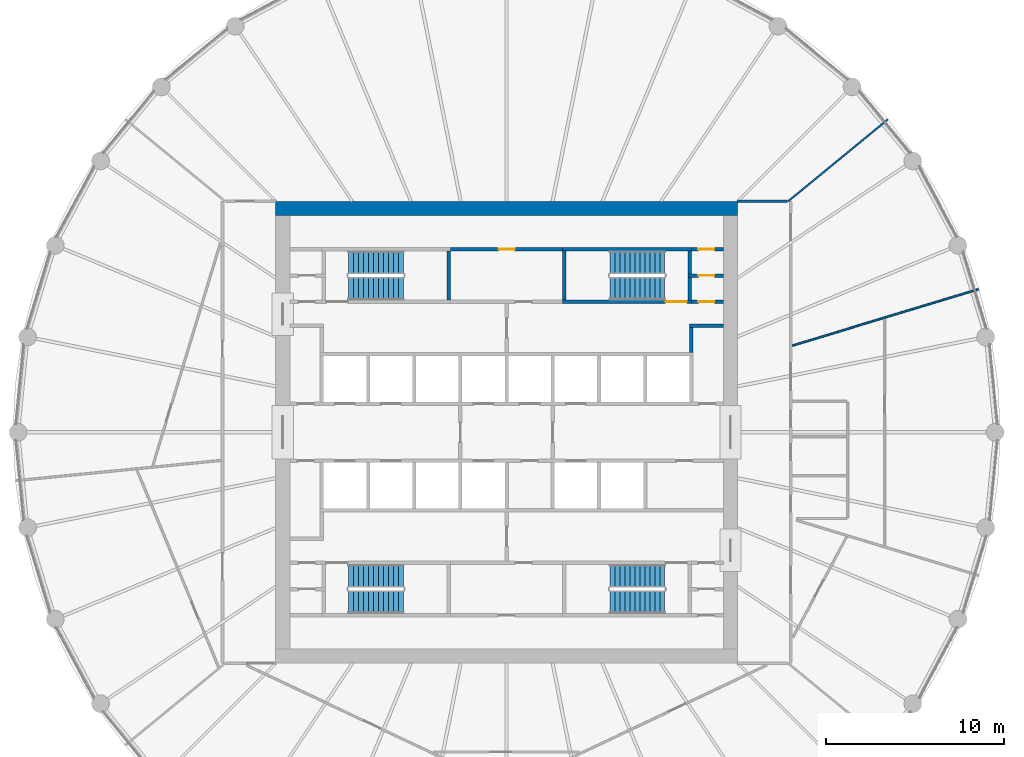
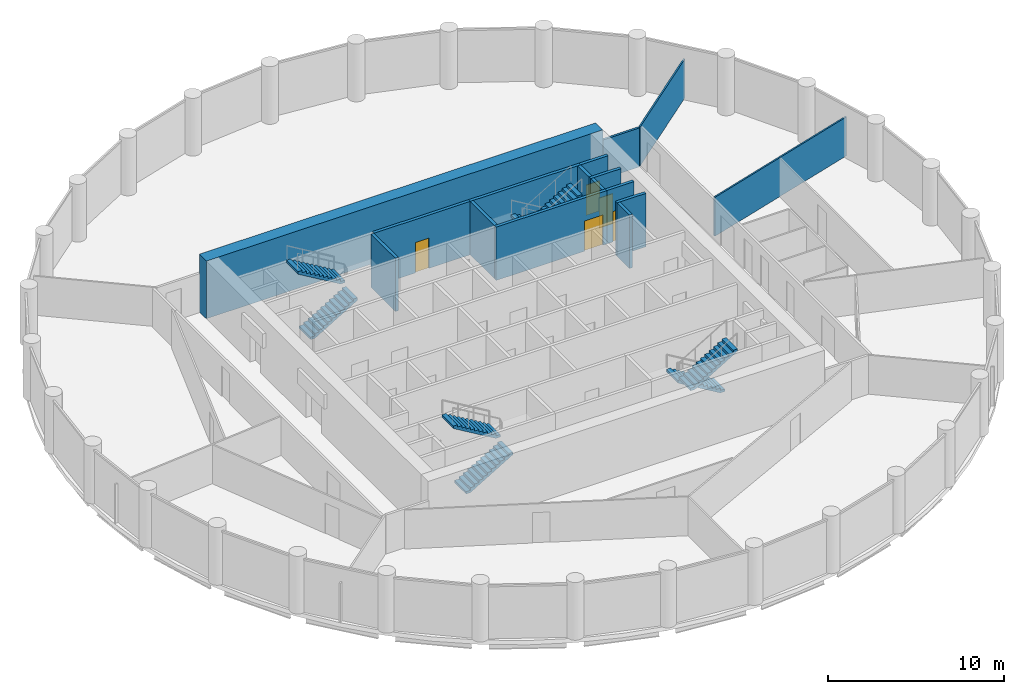
# One storey, part 7 of 8: 16 walls, 8 stair flights, 5 doors, 5 openings, 4 elements without a shape of their own.
"""IFC4 building model written with IfcOpenShell, lengths in metres."""

from ifc_helpers import new_model, si_unit, direction, frame, frame_2d, origin, place, context, subcontext, project, spatial, polyline, rectangle, outline, extrude, material, layer, layer_set, type_object, element, fill, aggregate, save


model = new_model("IFC4")

# Units and contexts
model_context = context("Model", 3, precision=1e-05, world=origin(), true_north=direction((0.0, 1.0)))
body_context = subcontext(model_context, "Body", "Model", "MODEL_VIEW")
ifc_project = project(units=[si_unit("LENGTHUNIT", "METRE"), si_unit("AREAUNIT", "SQUARE_METRE"), si_unit("VOLUMEUNIT", "CUBIC_METRE"), si_unit("PLANEANGLEUNIT", "RADIAN"), si_unit("MASSUNIT", "GRAM", prefix="KILO")], contexts=[model_context])

# Site, building, storey
site_placement = place(None, origin())
site = spatial("IfcSite", under=ifc_project, at=site_placement, CompositionType="ELEMENT")
building_placement = place(site_placement, origin())
building = spatial("IfcBuilding", under=site, at=building_placement, Name="Corvane Civic Tower", CompositionType="ELEMENT")
storey_placement = place(building_placement, frame((0.0, 0.0, 245.5)))
storey = spatial("IfcBuildingStorey", under=building, at=storey_placement, Name="L58", CompositionType="ELEMENT", Elevation=245.5)

# Wall
ifc_material_1 = material(Name="Concrete C50/60", Category="concrete")
ifc_layer_1 = layer(ifc_material_1, 0.800048828125)
ifc_layer_set_1 = layer_set([ifc_layer_1], Name="Concrete C50/60")
wall_type_1 = type_object("IfcWallType", Name="CORE WALL 800 C50/60", PredefinedType="SHEAR", material=ifc_layer_set_1)
wall_1_placement = place(storey_placement, frame((-13.0, 12.60009765625, 0.0), z_axis=(0.0, 0.0, 1.0), x_axis=(1.0, 0.0, 0.0)))
element("IfcWall", 1, at=wall_1_placement, inside=storey, type_object=wall_type_1, Name="W-L58-core-N", PredefinedType="SHEAR", context=body_context, shape_type="SweptSolid", body=[
    extrude(rectangle(XDim=26.0, YDim=0.800048828125, at=frame_2d((13.0, 0.0))), origin(), (0.0, 0.0, 1.0), 4.0),
])

# Wall, opening, door
ifc_material_2 = material(Name="Concrete C30/37", Category="concrete")
ifc_layer_2 = layer(ifc_material_2, 0.199951171875)
ifc_layer_set_2 = layer_set([ifc_layer_2], Name="Concrete C30/37")
wall_type_2 = type_object("IfcWallType", Name="CR-WALL-200", PredefinedType="PARTITIONING", material=ifc_layer_set_2)
wall_2_placement = place(storey_placement, frame((10.39990234375, 7.35009765625, 0.0), z_axis=(0.0, 0.0, 1.0), x_axis=(1.0, 0.0, 0.0)))
wall_2 = element("IfcWall", 2, at=wall_2_placement, inside=storey, type_object=wall_type_2, Name="L58 core partition wall", PredefinedType="PARTITIONING", context=body_context, shape_type="SweptSolid", body=[
    extrude(rectangle(XDim=1.800048828125, YDim=0.199951171875, at=frame_2d((0.89990234375, 0.0))), origin(), (0.0, 0.0, 1.0), 3.699951171875),
])
opening_1_placement = place(wall_2_placement, frame((0.39990234375, 0.0, 0.0)))
opening_1 = element("IfcOpeningElement", 3, at=opening_1_placement, cuts=wall_2, Name="Opening L58.C14", PredefinedType="OPENING", context=body_context, shape_type="SweptSolid", body=[
    extrude(rectangle(XDim=0.89990234375, YDim=2.10009765625, at=frame_2d((0.449951171875, 1.050048828125))), frame((0.0, 0.10986328125, 0.0), z_axis=(0.0, -1.0, 0.0), x_axis=(1.0, 0.0, 0.0)), (0.0, 0.0, 1.0), 0.219970703125),
])
ifc_material_3 = material(Name="Steel fire door leaf", Category="steel")
door_type_1 = type_object("IfcDoorType", Name="CR-DOOR-900", OperationType="SINGLE_SWING_LEFT", PredefinedType="DOOR", material=ifc_material_3)
door_1_placement = place(opening_1_placement, origin())
door_1 = element("IfcDoor", 4, at=door_1_placement, inside=storey, type_object=door_type_1, Name="L58 door", OperationType="SINGLE_SWING_LEFT", OverallHeight=2.10009765625, OverallWidth=0.89990234375, PredefinedType="DOOR", context=body_context, shape_type="SweptSolid", body=[
    extrude(rectangle(XDim=0.89990234375, YDim=2.10009765625, at=frame_2d((0.449951171875, 1.050048828125))), frame((0.0, 0.02490234375, 0.0), z_axis=(0.0, -1.0, 0.0), x_axis=(1.0, 0.0, 0.0)), (0.0, 0.0, 1.0), 0.050048828125),
])
fill(opening_1, door_1)

wall_3_placement = place(storey_placement, frame((10.199951171875, 8.824951171875, 0.0), z_axis=(0.0, 0.0, 1.0), x_axis=(1.0, 0.0, 0.0)))
wall_3 = element("IfcWall", 5, at=wall_3_placement, inside=storey, type_object=wall_type_2, Name="L58 partition wall", PredefinedType="PARTITIONING", context=body_context, shape_type="SweptSolid", body=[
    extrude(rectangle(XDim=2.0, YDim=0.199951171875, at=frame_2d((1.0, 0.0))), origin(), (0.0, 0.0, 1.0), 3.699951171875),
])
opening_2_placement = place(wall_3_placement, frame((0.60009765625, 0.0, 0.0)))
opening_2 = element("IfcOpeningElement", 6, at=opening_2_placement, cuts=wall_3, Name="Opening L58.C15", PredefinedType="OPENING", context=body_context, shape_type="SweptSolid", body=[
    extrude(rectangle(XDim=0.89990234375, YDim=2.10009765625, at=frame_2d((0.449951171875, 1.050048828125))), frame((0.0, 0.10986328125, 0.0), z_axis=(0.0, -1.0, 0.0), x_axis=(1.0, 0.0, 0.0)), (0.0, 0.0, 1.0), 0.219970703125),
])
door_2_placement = place(opening_2_placement, origin())
door_2 = element("IfcDoor", 7, at=door_2_placement, inside=storey, type_object=door_type_1, Name="L58 door", OperationType="SINGLE_SWING_LEFT", OverallHeight=2.10009765625, OverallWidth=0.89990234375, PredefinedType="DOOR", context=body_context, shape_type="SweptSolid", body=[
    extrude(rectangle(XDim=0.89990234375, YDim=2.10009765625, at=frame_2d((0.449951171875, 1.050048828125))), frame((0.0, 0.02490234375, 0.0), z_axis=(0.0, -1.0, 0.0), x_axis=(1.0, 0.0, 0.0)), (0.0, 0.0, 1.0), 0.050048828125),
])
fill(opening_2, door_2)

wall_4_placement = place(storey_placement, frame((-3.14990234375, 10.300048828125, 0.0), z_axis=(0.0, 0.0, 1.0), x_axis=(1.0, 0.0, 0.0)))
wall_4 = element("IfcWall", 8, at=wall_4_placement, inside=storey, type_object=wall_type_2, Name="L58 partition wall", PredefinedType="PARTITIONING", context=body_context, shape_type="SweptSolid", body=[
    extrude(rectangle(XDim=6.2998046875, YDim=0.199951171875, at=frame_2d((3.14990234375, 0.0))), origin(), (0.0, 0.0, 1.0), 3.699951171875),
])
opening_3_placement = place(wall_4_placement, frame((2.699951171875, 0.0, 0.0)))
opening_3 = element("IfcOpeningElement", 9, at=opening_3_placement, cuts=wall_4, Name="Opening L58.C08", PredefinedType="OPENING", context=body_context, shape_type="SweptSolid", body=[
    extrude(rectangle(XDim=0.89990234375, YDim=2.10009765625, at=frame_2d((0.449951171875, 1.050048828125))), frame((0.0, 0.10986328125, 0.0), z_axis=(0.0, -1.0, 0.0), x_axis=(1.0, 0.0, 0.0)), (0.0, 0.0, 1.0), 0.219970703125),
])
door_3_placement = place(opening_3_placement, origin())
door_3 = element("IfcDoor", 10, at=door_3_placement, inside=storey, type_object=door_type_1, Name="L58 door", OperationType="SINGLE_SWING_LEFT", OverallHeight=2.10009765625, OverallWidth=0.89990234375, PredefinedType="DOOR", context=body_context, shape_type="SweptSolid", body=[
    extrude(rectangle(XDim=0.89990234375, YDim=2.10009765625, at=frame_2d((0.449951171875, 1.050048828125))), frame((0.0, 0.02490234375, 0.0), z_axis=(0.0, -1.0, 0.0), x_axis=(1.0, 0.0, 0.0)), (0.0, 0.0, 1.0), 0.050048828125),
])
fill(opening_3, door_3)

wall_5_placement = place(storey_placement, frame((10.39990234375, 10.300048828125, 0.0), z_axis=(0.0, 0.0, 1.0), x_axis=(1.0, 0.0, 0.0)))
wall_5 = element("IfcWall", 11, at=wall_5_placement, inside=storey, type_object=wall_type_2, Name="L58 partition wall", PredefinedType="PARTITIONING", context=body_context, shape_type="SweptSolid", body=[
    extrude(rectangle(XDim=1.800048828125, YDim=0.199951171875, at=frame_2d((0.89990234375, 0.0))), origin(), (0.0, 0.0, 1.0), 3.699951171875),
])
opening_4_placement = place(wall_5_placement, frame((0.39990234375, 0.0, 0.0)))
opening_4 = element("IfcOpeningElement", 12, at=opening_4_placement, cuts=wall_5, Name="Opening L58.C16", PredefinedType="OPENING", context=body_context, shape_type="SweptSolid", body=[
    extrude(rectangle(XDim=0.89990234375, YDim=2.10009765625, at=frame_2d((0.449951171875, 1.050048828125))), frame((0.0, 0.10986328125, 0.0), z_axis=(0.0, -1.0, 0.0), x_axis=(1.0, 0.0, 0.0)), (0.0, 0.0, 1.0), 0.219970703125),
])
door_4_placement = place(opening_4_placement, origin())
door_4 = element("IfcDoor", 13, at=door_4_placement, inside=storey, type_object=door_type_1, Name="L58 door", OperationType="SINGLE_SWING_LEFT", OverallHeight=2.10009765625, OverallWidth=0.89990234375, PredefinedType="DOOR", context=body_context, shape_type="SweptSolid", body=[
    extrude(rectangle(XDim=0.89990234375, YDim=2.10009765625, at=frame_2d((0.449951171875, 1.050048828125))), frame((0.0, 0.02490234375, 0.0), z_axis=(0.0, -1.0, 0.0), x_axis=(1.0, 0.0, 0.0)), (0.0, 0.0, 1.0), 0.050048828125),
])
fill(opening_4, door_4)

# Walls
wall_6_placement = place(storey_placement, origin())
element("IfcWall", 14, at=wall_6_placement, inside=storey, type_object=wall_type_2, Name="L58 core partition wall", PredefinedType="PARTITIONING", context=body_context, shape_type="SweptSolid", body=[
    extrude(outline(polyline([(12.199951171875, 5.89990234375), (10.300048828125, 5.89990234375), (10.300048828125, 6.10009765625), (12.199951171875, 6.10009765625), (12.199951171875, 5.89990234375)])), origin(), (0.0, 0.0, 1.0), 3.699951171875),
])
wall_7_placement = place(storey_placement, origin())
element("IfcWall", 15, at=wall_7_placement, inside=storey, type_object=wall_type_2, Name="L58 core partition wall", PredefinedType="PARTITIONING", context=body_context, shape_type="SweptSolid", body=[
    extrude(outline(polyline([(10.5, 4.5), (10.300048828125, 4.5), (10.300048828125, 5.89990234375), (10.5, 5.89990234375), (10.5, 4.5)])), origin(), (0.0, 0.0, 1.0), 3.699951171875),
])
ifc_material_4 = material(Name="Plasterboard")
ifc_layer_3 = layer(ifc_material_4, 0.10009765625)
ifc_layer_set_3 = layer_set([ifc_layer_3], Name="Plasterboard")
wall_type_3 = type_object("IfcWallType", Name="Partition 100 plasterboard on studs", PredefinedType="PARTITIONING", material=ifc_layer_set_3)
wall_8_placement = place(storey_placement, frame((16.089599609375, 4.880615234375, 0.0), z_axis=(0.0, 0.0, 1.0), x_axis=(0.956939502521, 0.290287423971, 0.0)))
element("IfcWall", 16, at=wall_8_placement, inside=storey, type_object=wall_type_3, Name="Partition L58.022", PredefinedType="PARTITIONING", context=body_context, shape_type="SweptSolid", body=[
    extrude(rectangle(XDim=10.936767578125, YDim=0.10009765625, at=frame_2d((5.46826171875, 0.0))), origin(), (0.0, 0.0, 1.0), 2.699951171875),
])
wall_9_placement = place(storey_placement, frame((15.8544921875, 13.01123046875, 0.0), z_axis=(0.0, 0.0, 1.0), x_axis=(0.772997895748, 0.634408585352, 0.0)))
element("IfcWall", 17, at=wall_9_placement, inside=storey, type_object=wall_type_3, Name="Partition L58.027", PredefinedType="PARTITIONING", context=body_context, shape_type="SweptSolid", body=[
    extrude(rectangle(XDim=7.240234375, YDim=0.10009765625, at=frame_2d((3.6201171875, 0.0))), origin(), (0.0, 0.0, 1.0), 2.699951171875),
])

# Wall, opening, door
ifc_material_5 = material(Name="Concrete C50/60", Category="concrete")
ifc_layer_4 = layer(ifc_material_5, 0.199951171875)
ifc_layer_set_4 = layer_set([ifc_layer_4], Name="Concrete C50/60")
wall_type_4 = type_object("IfcWallType", Name="ST-WALL-200", PredefinedType="SHEAR", material=ifc_layer_set_4)
wall_10_placement = place(storey_placement, frame((3.14990234375, 7.35009765625, 0.0), z_axis=(0.0, 0.0, 1.0), x_axis=(1.0, 0.0, 0.0)))
wall_10 = element("IfcWall", 18, at=wall_10_placement, inside=storey, type_object=wall_type_4, Name="L58 stair enclosure wall", PredefinedType="SHEAR", context=body_context, shape_type="SweptSolid", body=[
    extrude(rectangle(XDim=7.25, YDim=0.199951171875, at=frame_2d((3.625, 0.0))), origin(), (0.0, 0.0, 1.0), 3.699951171875),
])
opening_5_placement = place(wall_10_placement, frame((5.800048828125, 0.0, 0.0)))
opening_5 = element("IfcOpeningElement", 19, at=opening_5_placement, cuts=wall_10, Name="Opening L58.C20", PredefinedType="OPENING", context=body_context, shape_type="SweptSolid", body=[
    extrude(rectangle(XDim=1.199951171875, YDim=2.10009765625, at=frame_2d((0.60009765625, 1.050048828125))), frame((0.0, 0.10986328125, 0.0), z_axis=(0.0, -1.0, 0.0), x_axis=(1.0, 0.0, 0.0)), (0.0, 0.0, 1.0), 0.219970703125),
])
ifc_material_6 = material(Name="Steel fire door leaf", Category="steel")
door_type_2 = type_object("IfcDoorType", Name="ST-DOOR-1200", OperationType="SINGLE_SWING_RIGHT", PredefinedType="DOOR", material=ifc_material_6)
door_5_placement = place(opening_5_placement, origin())
door_5 = element("IfcDoor", 20, at=door_5_placement, inside=storey, type_object=door_type_2, Name="L58 stair door", OperationType="SINGLE_SWING_RIGHT", OverallHeight=2.10009765625, OverallWidth=1.199951171875, PredefinedType="DOOR", context=body_context, shape_type="SweptSolid", body=[
    extrude(rectangle(XDim=1.199951171875, YDim=2.10009765625, at=frame_2d((0.60009765625, 1.050048828125))), frame((0.0, 0.02490234375, 0.0), z_axis=(0.0, -1.0, 0.0), x_axis=(1.0, 0.0, 0.0)), (0.0, 0.0, 1.0), 0.050048828125),
])
fill(opening_5, door_5)

# Walls
wall_11_placement = place(storey_placement, origin())
element("IfcWall", 21, at=wall_11_placement, inside=storey, type_object=wall_type_4, Name="L58 stair enclosure wall", PredefinedType="SHEAR", context=body_context, shape_type="SweptSolid", body=[
    extrude(outline(polyline([(10.39990234375, 10.199951171875), (3.14990234375, 10.199951171875), (3.14990234375, 10.39990234375), (10.39990234375, 10.39990234375), (10.39990234375, 10.199951171875)])), origin(), (0.0, 0.0, 1.0), 3.699951171875),
])
wall_12_placement = place(storey_placement, origin())
element("IfcWall", 22, at=wall_12_placement, inside=storey, type_object=wall_type_4, Name="L58 stair enclosure wall", PredefinedType="SHEAR", context=body_context, shape_type="SweptSolid", body=[
    extrude(outline(polyline([(-3.14990234375, 7.449951171875), (-3.35009765625, 7.449951171875), (-3.35009765625, 10.199951171875), (-3.14990234375, 10.199951171875), (-3.14990234375, 7.449951171875)])), origin(), (0.0, 0.0, 1.0), 3.699951171875),
])
wall_13_placement = place(storey_placement, origin())
element("IfcWall", 23, at=wall_13_placement, inside=storey, type_object=wall_type_4, Name="L58 stair enclosure wall", PredefinedType="SHEAR", context=body_context, shape_type="SweptSolid", body=[
    extrude(outline(polyline([(3.35009765625, 7.449951171875), (3.14990234375, 7.449951171875), (3.14990234375, 10.199951171875), (3.35009765625, 10.199951171875), (3.35009765625, 7.449951171875)])), origin(), (0.0, 0.0, 1.0), 3.699951171875),
])
wall_14_placement = place(storey_placement, origin())
element("IfcWall", 24, at=wall_14_placement, inside=storey, type_object=wall_type_4, Name="L58 stair enclosure wall", PredefinedType="SHEAR", context=body_context, shape_type="SweptSolid", body=[
    extrude(outline(polyline([(10.39990234375, 8.72509765625), (10.39990234375, 7.449951171875), (10.199951171875, 7.449951171875), (10.199951171875, 8.72509765625), (10.39990234375, 8.72509765625)])), origin(), (0.0, 0.0, 1.0), 3.699951171875),
])
wall_15_placement = place(storey_placement, origin())
element("IfcWall", 25, at=wall_15_placement, inside=storey, type_object=wall_type_4, Name="L58 stair enclosure wall", PredefinedType="SHEAR", context=body_context, shape_type="SweptSolid", body=[
    extrude(outline(polyline([(10.39990234375, 8.925048828125), (10.199951171875, 8.925048828125), (10.199951171875, 10.199951171875), (10.39990234375, 10.199951171875), (10.39990234375, 8.925048828125)])), origin(), (0.0, 0.0, 1.0), 3.699951171875),
])
ifc_material_7 = material(Name="Plasterboard")
ifc_layer_5 = layer(ifc_material_7, 0.14990234375)
ifc_layer_set_5 = layer_set([ifc_layer_5], Name="Plasterboard")
wall_type_5 = type_object("IfcWallType", Name="Tenancy wall 150 EI 60", PredefinedType="PARTITIONING", material=ifc_layer_set_5)
wall_16_placement = place(storey_placement, frame((12.989990234375, 13.0, 0.0), z_axis=(0.0, 0.0, 1.0), x_axis=(1.0, 0.0, 0.0)))
element("IfcWall", 26, at=wall_16_placement, inside=storey, type_object=wall_type_5, Name="Partition L58.025", PredefinedType="PARTITIONING", context=body_context, shape_type="SweptSolid", body=[
    extrude(rectangle(XDim=2.82373046875, YDim=0.14990234375, at=frame_2d((1.411865234375, 0.0))), origin(), (0.0, 0.0, 1.0), 2.699951171875),
])

# Stair, stair flights
ifc_material_8 = material(Name="Concrete C40/50", Category="concrete")
stair_type = type_object("IfcStairType", Name="ST-STAIR-HALFTURN", PredefinedType="HALF_TURN_STAIR", material=ifc_material_8)
stair_1_placement = place(storey_placement, origin())
stair_1 = element("IfcStair", 27, at=stair_1_placement, inside=storey, type_object=stair_type, Name="L58 Exit stair ST1", PredefinedType="HALF_TURN_STAIR")
ifc_material_9 = material(Name="Concrete C40/50", Category="concrete")
stair_flight_type = type_object("IfcStairFlightType", Name="ST-FLIGHT-RC", PredefinedType="STRAIGHT", material=ifc_material_9)
stair_flight_1_placement = place(storey_placement, frame((8.89990234375, 9.550048828125, 0.0), z_axis=(0.0, 0.0, 1.0), x_axis=(-1.0, 0.0, 0.0)))
stair_flight_1 = element("IfcStairFlight", 28, at=stair_flight_1_placement, type_object=stair_flight_type, Name="ST1 flight 1", NumberOfRisers=12, NumberOfTreads=11, PredefinedType="STRAIGHT", RiserHeight=0.166666667, TreadLength=0.28, context=body_context, shape_type="SweptSolid", body=[
    extrude(outline(polyline([(0.0, 0.0), (0.0, 0.166748046875), (0.280029296875, 0.166748046875), (0.280029296875, 0.333251953125), (0.56005859375, 0.333251953125), (0.56005859375, 0.5), (0.840087890625, 0.5), (0.840087890625, 0.666748046875), (1.1201171875, 0.666748046875), (1.1201171875, 0.833251953125), (1.39990234375, 0.833251953125), (1.39990234375, 1.0), (1.679931640625, 1.0), (1.679931640625, 1.166748046875), (1.9599609375, 1.166748046875), (1.9599609375, 1.333251953125), (2.239990234375, 1.333251953125), (2.239990234375, 1.5), (2.52001953125, 1.5), (2.52001953125, 1.666748046875), (2.800048828125, 1.666748046875), (2.800048828125, 1.833251953125), (3.080078125, 1.833251953125), (3.080078125, 2.0), (3.080078125, 1.658935546875), (0.29296875, 0.0), (0.0, 0.0)])), frame((0.0, 0.64990234375, 0.0), z_axis=(0.0, -1.0, 0.0), x_axis=(1.0, 0.0, 0.0)), (0.0, 0.0, 1.0), 1.300048828125),
])
stair_flight_2_placement = place(storey_placement, frame((5.820068359375, 8.10009765625, 2.0), z_axis=(0.0, 0.0, 1.0), x_axis=(1.0, 0.0, 0.0)))
stair_flight_2 = element("IfcStairFlight", 29, at=stair_flight_2_placement, type_object=stair_flight_type, Name="ST1 flight 2", NumberOfRisers=12, NumberOfTreads=11, PredefinedType="STRAIGHT", RiserHeight=0.166666667, TreadLength=0.28, context=body_context, shape_type="SweptSolid", body=[
    extrude(outline(polyline([(0.0, 0.0), (0.0, 0.166748046875), (0.280029296875, 0.166748046875), (0.280029296875, 0.333251953125), (0.56005859375, 0.333251953125), (0.56005859375, 0.5), (0.840087890625, 0.5), (0.840087890625, 0.666748046875), (1.1201171875, 0.666748046875), (1.1201171875, 0.833251953125), (1.39990234375, 0.833251953125), (1.39990234375, 1.0), (1.679931640625, 1.0), (1.679931640625, 1.166748046875), (1.9599609375, 1.166748046875), (1.9599609375, 1.333251953125), (2.239990234375, 1.333251953125), (2.239990234375, 1.5), (2.52001953125, 1.5), (2.52001953125, 1.666748046875), (2.800048828125, 1.666748046875), (2.800048828125, 1.833251953125), (3.080078125, 1.833251953125), (3.080078125, 2.0), (3.080078125, 1.658935546875), (0.29296875, 0.0), (0.0, 0.0)])), frame((0.0, 0.64990234375, 0.0), z_axis=(0.0, -1.0, 0.0), x_axis=(1.0, 0.0, 0.0)), (0.0, 0.0, 1.0), 1.300048828125),
])
aggregate(stair_1, [stair_flight_1, stair_flight_2])

stair_2_placement = place(storey_placement, origin())
stair_2 = element("IfcStair", 30, at=stair_2_placement, inside=storey, type_object=stair_type, Name="L58 Exit stair ST2", PredefinedType="HALF_TURN_STAIR")
stair_flight_3_placement = place(storey_placement, frame((8.89990234375, -8.10009765625, 0.0), z_axis=(0.0, 0.0, 1.0), x_axis=(-1.0, 0.0, 0.0)))
stair_flight_3 = element("IfcStairFlight", 31, at=stair_flight_3_placement, type_object=stair_flight_type, Name="ST2 flight 1", NumberOfRisers=12, NumberOfTreads=11, PredefinedType="STRAIGHT", RiserHeight=0.166666667, TreadLength=0.28, context=body_context, shape_type="SweptSolid", body=[
    extrude(outline(polyline([(0.0, 0.0), (0.0, 0.166748046875), (0.280029296875, 0.166748046875), (0.280029296875, 0.333251953125), (0.56005859375, 0.333251953125), (0.56005859375, 0.5), (0.840087890625, 0.5), (0.840087890625, 0.666748046875), (1.1201171875, 0.666748046875), (1.1201171875, 0.833251953125), (1.39990234375, 0.833251953125), (1.39990234375, 1.0), (1.679931640625, 1.0), (1.679931640625, 1.166748046875), (1.9599609375, 1.166748046875), (1.9599609375, 1.333251953125), (2.239990234375, 1.333251953125), (2.239990234375, 1.5), (2.52001953125, 1.5), (2.52001953125, 1.666748046875), (2.800048828125, 1.666748046875), (2.800048828125, 1.833251953125), (3.080078125, 1.833251953125), (3.080078125, 2.0), (3.080078125, 1.658935546875), (0.29296875, 0.0), (0.0, 0.0)])), frame((0.0, 0.64990234375, 0.0), z_axis=(0.0, -1.0, 0.0), x_axis=(1.0, 0.0, 0.0)), (0.0, 0.0, 1.0), 1.300048828125),
])
stair_flight_4_placement = place(storey_placement, frame((5.820068359375, -9.550048828125, 2.0), z_axis=(0.0, 0.0, 1.0), x_axis=(1.0, 0.0, 0.0)))
stair_flight_4 = element("IfcStairFlight", 32, at=stair_flight_4_placement, type_object=stair_flight_type, Name="ST2 flight 2", NumberOfRisers=12, NumberOfTreads=11, PredefinedType="STRAIGHT", RiserHeight=0.166666667, TreadLength=0.28, context=body_context, shape_type="SweptSolid", body=[
    extrude(outline(polyline([(0.0, 0.0), (0.0, 0.166748046875), (0.280029296875, 0.166748046875), (0.280029296875, 0.333251953125), (0.56005859375, 0.333251953125), (0.56005859375, 0.5), (0.840087890625, 0.5), (0.840087890625, 0.666748046875), (1.1201171875, 0.666748046875), (1.1201171875, 0.833251953125), (1.39990234375, 0.833251953125), (1.39990234375, 1.0), (1.679931640625, 1.0), (1.679931640625, 1.166748046875), (1.9599609375, 1.166748046875), (1.9599609375, 1.333251953125), (2.239990234375, 1.333251953125), (2.239990234375, 1.5), (2.52001953125, 1.5), (2.52001953125, 1.666748046875), (2.800048828125, 1.666748046875), (2.800048828125, 1.833251953125), (3.080078125, 1.833251953125), (3.080078125, 2.0), (3.080078125, 1.658935546875), (0.29296875, 0.0), (0.0, 0.0)])), frame((0.0, 0.64990234375, 0.0), z_axis=(0.0, -1.0, 0.0), x_axis=(1.0, 0.0, 0.0)), (0.0, 0.0, 1.0), 1.300048828125),
])
aggregate(stair_2, [stair_flight_3, stair_flight_4])

stair_3_placement = place(storey_placement, origin())
stair_3 = element("IfcStair", 33, at=stair_3_placement, inside=storey, type_object=stair_type, Name="L58 Exit stair ST3", PredefinedType="HALF_TURN_STAIR")
stair_flight_5_placement = place(storey_placement, frame((-8.89990234375, -9.550048828125, 0.0), z_axis=(0.0, 0.0, 1.0), x_axis=(1.0, 0.0, 0.0)))
stair_flight_5 = element("IfcStairFlight", 34, at=stair_flight_5_placement, type_object=stair_flight_type, Name="ST3 flight 1", NumberOfRisers=12, NumberOfTreads=11, PredefinedType="STRAIGHT", RiserHeight=0.166666667, TreadLength=0.28, context=body_context, shape_type="SweptSolid", body=[
    extrude(outline(polyline([(0.0, 0.0), (0.0, 0.166748046875), (0.280029296875, 0.166748046875), (0.280029296875, 0.333251953125), (0.56005859375, 0.333251953125), (0.56005859375, 0.5), (0.840087890625, 0.5), (0.840087890625, 0.666748046875), (1.1201171875, 0.666748046875), (1.1201171875, 0.833251953125), (1.39990234375, 0.833251953125), (1.39990234375, 1.0), (1.679931640625, 1.0), (1.679931640625, 1.166748046875), (1.9599609375, 1.166748046875), (1.9599609375, 1.333251953125), (2.239990234375, 1.333251953125), (2.239990234375, 1.5), (2.52001953125, 1.5), (2.52001953125, 1.666748046875), (2.800048828125, 1.666748046875), (2.800048828125, 1.833251953125), (3.080078125, 1.833251953125), (3.080078125, 2.0), (3.080078125, 1.658935546875), (0.29296875, 0.0), (0.0, 0.0)])), frame((0.0, 0.64990234375, 0.0), z_axis=(0.0, -1.0, 0.0), x_axis=(1.0, 0.0, 0.0)), (0.0, 0.0, 1.0), 1.300048828125),
])
stair_flight_6_placement = place(storey_placement, frame((-5.820068359375, -8.10009765625, 2.0), z_axis=(0.0, 0.0, 1.0), x_axis=(-1.0, 0.0, 0.0)))
stair_flight_6 = element("IfcStairFlight", 35, at=stair_flight_6_placement, type_object=stair_flight_type, Name="ST3 flight 2", NumberOfRisers=12, NumberOfTreads=11, PredefinedType="STRAIGHT", RiserHeight=0.166666667, TreadLength=0.28, context=body_context, shape_type="SweptSolid", body=[
    extrude(outline(polyline([(0.0, 0.0), (0.0, 0.166748046875), (0.280029296875, 0.166748046875), (0.280029296875, 0.333251953125), (0.56005859375, 0.333251953125), (0.56005859375, 0.5), (0.840087890625, 0.5), (0.840087890625, 0.666748046875), (1.1201171875, 0.666748046875), (1.1201171875, 0.833251953125), (1.39990234375, 0.833251953125), (1.39990234375, 1.0), (1.679931640625, 1.0), (1.679931640625, 1.166748046875), (1.9599609375, 1.166748046875), (1.9599609375, 1.333251953125), (2.239990234375, 1.333251953125), (2.239990234375, 1.5), (2.52001953125, 1.5), (2.52001953125, 1.666748046875), (2.800048828125, 1.666748046875), (2.800048828125, 1.833251953125), (3.080078125, 1.833251953125), (3.080078125, 2.0), (3.080078125, 1.658935546875), (0.29296875, 0.0), (0.0, 0.0)])), frame((0.0, 0.64990234375, 0.0), z_axis=(0.0, -1.0, 0.0), x_axis=(1.0, 0.0, 0.0)), (0.0, 0.0, 1.0), 1.300048828125),
])
aggregate(stair_3, [stair_flight_5, stair_flight_6])

stair_4_placement = place(storey_placement, origin())
stair_4 = element("IfcStair", 36, at=stair_4_placement, inside=storey, type_object=stair_type, Name="L58 Exit stair ST4", PredefinedType="HALF_TURN_STAIR")
stair_flight_7_placement = place(storey_placement, frame((-8.89990234375, 8.10009765625, 0.0), z_axis=(0.0, 0.0, 1.0), x_axis=(1.0, 0.0, 0.0)))
stair_flight_7 = element("IfcStairFlight", 37, at=stair_flight_7_placement, type_object=stair_flight_type, Name="ST4 flight 1", NumberOfRisers=12, NumberOfTreads=11, PredefinedType="STRAIGHT", RiserHeight=0.166666667, TreadLength=0.28, context=body_context, shape_type="SweptSolid", body=[
    extrude(outline(polyline([(0.0, 0.0), (0.0, 0.166748046875), (0.280029296875, 0.166748046875), (0.280029296875, 0.333251953125), (0.56005859375, 0.333251953125), (0.56005859375, 0.5), (0.840087890625, 0.5), (0.840087890625, 0.666748046875), (1.1201171875, 0.666748046875), (1.1201171875, 0.833251953125), (1.39990234375, 0.833251953125), (1.39990234375, 1.0), (1.679931640625, 1.0), (1.679931640625, 1.166748046875), (1.9599609375, 1.166748046875), (1.9599609375, 1.333251953125), (2.239990234375, 1.333251953125), (2.239990234375, 1.5), (2.52001953125, 1.5), (2.52001953125, 1.666748046875), (2.800048828125, 1.666748046875), (2.800048828125, 1.833251953125), (3.080078125, 1.833251953125), (3.080078125, 2.0), (3.080078125, 1.658935546875), (0.29296875, 0.0), (0.0, 0.0)])), frame((0.0, 0.64990234375, 0.0), z_axis=(0.0, -1.0, 0.0), x_axis=(1.0, 0.0, 0.0)), (0.0, 0.0, 1.0), 1.300048828125),
])
stair_flight_8_placement = place(storey_placement, frame((-5.820068359375, 9.550048828125, 2.0), z_axis=(0.0, 0.0, 1.0), x_axis=(-1.0, 0.0, 0.0)))
stair_flight_8 = element("IfcStairFlight", 38, at=stair_flight_8_placement, type_object=stair_flight_type, Name="ST4 flight 2", NumberOfRisers=12, NumberOfTreads=11, PredefinedType="STRAIGHT", RiserHeight=0.166666667, TreadLength=0.28, context=body_context, shape_type="SweptSolid", body=[
    extrude(outline(polyline([(0.0, 0.0), (0.0, 0.166748046875), (0.280029296875, 0.166748046875), (0.280029296875, 0.333251953125), (0.56005859375, 0.333251953125), (0.56005859375, 0.5), (0.840087890625, 0.5), (0.840087890625, 0.666748046875), (1.1201171875, 0.666748046875), (1.1201171875, 0.833251953125), (1.39990234375, 0.833251953125), (1.39990234375, 1.0), (1.679931640625, 1.0), (1.679931640625, 1.166748046875), (1.9599609375, 1.166748046875), (1.9599609375, 1.333251953125), (2.239990234375, 1.333251953125), (2.239990234375, 1.5), (2.52001953125, 1.5), (2.52001953125, 1.666748046875), (2.800048828125, 1.666748046875), (2.800048828125, 1.833251953125), (3.080078125, 1.833251953125), (3.080078125, 2.0), (3.080078125, 1.658935546875), (0.29296875, 0.0), (0.0, 0.0)])), frame((0.0, 0.64990234375, 0.0), z_axis=(0.0, -1.0, 0.0), x_axis=(1.0, 0.0, 0.0)), (0.0, 0.0, 1.0), 1.300048828125),
])
aggregate(stair_4, [stair_flight_7, stair_flight_8])

save(model, "model.ifc")
